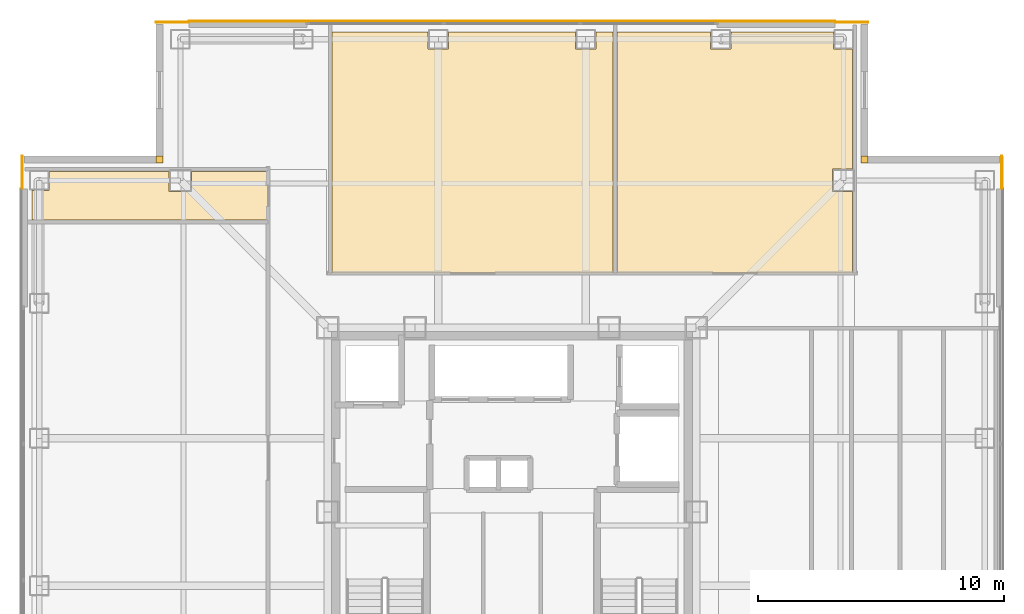
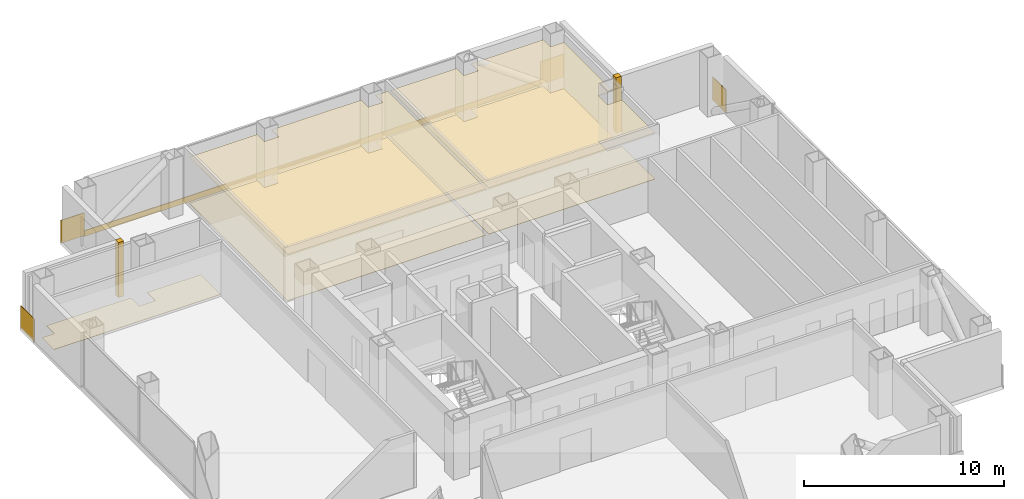
# One storey, part 17 of 17: 12 coverings.
"""IFC4 building model written with IfcOpenShell, lengths in metres."""

from ifc_helpers import new_model, si_unit, direction, frame, frame_2d, origin, place, context, subcontext, project, spatial, polyline, rectangle, outline, extrude, material, layer, layer_set, type_object, element, save


model = new_model("IFC4")

# Units and contexts
model_context = context("Model", 3, precision=1e-05, world=origin(), true_north=direction((0.0, 1.0)))
body_context = subcontext(model_context, "Body", "Model", "MODEL_VIEW")
ifc_project = project(units=[si_unit("LENGTHUNIT", "METRE"), si_unit("AREAUNIT", "SQUARE_METRE"), si_unit("VOLUMEUNIT", "CUBIC_METRE"), si_unit("PLANEANGLEUNIT", "RADIAN"), si_unit("MASSUNIT", "GRAM", prefix="KILO")], contexts=[model_context])

# Site, building, storey
site_placement = place(None, origin())
site = spatial("IfcSite", under=ifc_project, at=site_placement, CompositionType="ELEMENT")
building_placement = place(site_placement, origin())
building = spatial("IfcBuilding", under=site, at=building_placement, Name="Trevonay Congress Spire", CompositionType="ELEMENT")
storey_placement = place(building_placement, frame((0.0, 0.0, 191.39990234375)))
storey = spatial("IfcBuildingStorey", under=building, at=storey_placement, Name="L49", CompositionType="ELEMENT", Elevation=191.39990234375)

# Coverings
ifc_material_1 = material(Name="Acoustic Mineral Fibre Board", Category="gypsum")
ifc_layer_1 = layer(ifc_material_1, 0.02490234375, Name="Acoustic Mineral Fibre Board")
ifc_layer_set_1 = layer_set([ifc_layer_1], Name="Acoustic Mineral Fibre Board")
covering_type_1 = type_object("IfcCoveringType", Name="COV-CEIL-ACOUSTIC", PredefinedType="CEILING", material=ifc_layer_set_1)
covering_1_placement = place(storey_placement, frame((0.0, 0.0, 2.81005859375)))
element("IfcCovering", 1, at=covering_1_placement, inside=storey, type_object=covering_type_1, Name="L49 Champagne Aperitif Bar acoustic suspended ceiling", PredefinedType="CEILING", context=body_context, shape_type="SweptSolid", body=[
    extrude(outline(polyline([(4.1201171875, 19.550048828125), (4.1201171875, 9.72998046875), (-7.320068359375, 9.72998046875), (-7.320068359375, 19.550048828125), (-3.409912109375, 19.550048828125), (-3.409912109375, 18.840087890625), (-2.590087890625, 18.840087890625), (-2.590087890625, 19.550048828125), (2.590087890625, 19.550048828125), (2.590087890625, 18.840087890625), (3.409912109375, 18.840087890625), (3.409912109375, 19.550048828125), (4.1201171875, 19.550048828125)])), origin(), (0.0, 0.0, 1.0), 0.025146484375),
])
covering_2_placement = place(storey_placement, frame((0.0, 0.0, 2.81005859375)))
element("IfcCovering", 2, at=covering_2_placement, inside=storey, type_object=covering_type_1, Name="L49 Private Chef Table Dining acoustic suspended ceiling", PredefinedType="CEILING", context=body_context, shape_type="SweptSolid", body=[
    extrude(outline(polyline([(13.8701171875, 9.72998046875), (4.280029296875, 9.72998046875), (4.280029296875, 19.550048828125), (8.090087890625, 19.550048828125), (8.090087890625, 18.840087890625), (8.909912109375, 18.840087890625), (8.909912109375, 19.550048828125), (13.090087890625, 19.550048828125), (13.090087890625, 18.840087890625), (13.8701171875, 18.840087890625), (13.8701171875, 13.9599609375), (13.0400390625, 13.9599609375), (13.0400390625, 13.0400390625), (13.8701171875, 13.0400390625), (13.8701171875, 9.72998046875)])), origin(), (0.0, 0.0, 1.0), 0.025146484375),
])
ifc_material_2 = material(Name="Polished Granite Floor Tile", Category="masonry")
ifc_layer_2 = layer(ifc_material_2, 0.02001953125, Name="Polished Granite Floor Tile")
ifc_layer_set_2 = layer_set([ifc_layer_2], Name="Polished Granite Floor Tile")
covering_type_2 = type_object("IfcCoveringType", Name="COV-FLOOR-STONE", PredefinedType="FLOORING", material=ifc_layer_set_2)
covering_3_placement = place(storey_placement, origin())
element("IfcCovering", 3, at=covering_3_placement, inside=storey, type_object=covering_type_2, Name="L49 Accessible WC floor finish", PredefinedType="FLOORING", context=body_context, shape_type="SweptSolid", body=[
    extrude(outline(polyline([(-9.929931640625, 13.8701171875), (-9.929931640625, 11.8798828125), (-19.550048828125, 11.8798828125), (-19.550048828125, 13.090087890625), (-18.840087890625, 13.090087890625), (-18.840087890625, 13.8701171875), (-13.9599609375, 13.8701171875), (-13.9599609375, 13.0400390625), (-13.0400390625, 13.0400390625), (-13.0400390625, 13.8701171875), (-9.929931640625, 13.8701171875)])), origin(), (0.0, 0.0, 1.0), 0.02001953125),
])
covering_4_placement = place(storey_placement, origin())
element("IfcCovering", 4, at=covering_4_placement, inside=storey, type_object=covering_type_2, Name="L49 Champagne Aperitif Bar floor finish", PredefinedType="FLOORING", context=body_context, shape_type="SweptSolid", body=[
    extrude(outline(polyline([(4.1201171875, 19.550048828125), (4.1201171875, 9.72998046875), (-7.320068359375, 9.72998046875), (-7.320068359375, 19.550048828125), (-3.409912109375, 19.550048828125), (-3.409912109375, 18.840087890625), (-2.590087890625, 18.840087890625), (-2.590087890625, 19.550048828125), (2.590087890625, 19.550048828125), (2.590087890625, 18.840087890625), (3.409912109375, 18.840087890625), (3.409912109375, 19.550048828125), (4.1201171875, 19.550048828125)])), origin(), (0.0, 0.0, 1.0), 0.02001953125),
])
covering_5_placement = place(storey_placement, origin())
element("IfcCovering", 5, at=covering_5_placement, inside=storey, type_object=covering_type_2, Name="L49 Private Chef Table Dining floor finish", PredefinedType="FLOORING", context=body_context, shape_type="SweptSolid", body=[
    extrude(outline(polyline([(13.8701171875, 9.72998046875), (4.280029296875, 9.72998046875), (4.280029296875, 19.550048828125), (8.090087890625, 19.550048828125), (8.090087890625, 18.840087890625), (8.909912109375, 18.840087890625), (8.909912109375, 19.550048828125), (13.090087890625, 19.550048828125), (13.090087890625, 18.840087890625), (13.8701171875, 18.840087890625), (13.8701171875, 13.9599609375), (13.0400390625, 13.9599609375), (13.0400390625, 13.0400390625), (13.8701171875, 13.0400390625), (13.8701171875, 9.72998046875)])), origin(), (0.0, 0.0, 1.0), 0.02001953125),
])
ifc_material_3 = material(Name="Pale Anodised Aluminium EN AW-6063-T6", Category="aluminium")
ifc_layer_3 = layer(ifc_material_3, 0.0400390625, Name="Pale Anodised Aluminium EN AW-6063-T6")
ifc_layer_set_3 = layer_set([ifc_layer_3], Name="Pale Anodised Aluminium EN AW-6063-T6")
covering_type_3 = type_object("IfcCoveringType", Name="COV-SPANDREL-PALE-METAL", PredefinedType="CLADDING", material=ifc_layer_set_3)
covering_6_placement = place(storey_placement, frame((-13.14990234375, 19.97998046875, -0.239990234375), z_axis=(0.0, 0.0, 1.0), x_axis=(1.0, 0.0, 0.0)))
element("IfcCovering", 6, at=covering_6_placement, inside=storey, type_object=covering_type_3, Name="L49 N pale-metal slab-edge spandrel cladding", PredefinedType="CLADDING", context=body_context, shape_type="SweptSolid", body=[
    extrude(rectangle(XDim=26.2998046875, YDim=0.0400390625, at=frame_2d((13.14990234375, 0.0))), origin(), (0.0, 0.0, 1.0), 0.360107421875),
])
covering_7_placement = place(storey_placement, origin())
element("IfcCovering", 7, at=covering_7_placement, inside=storey, type_object=covering_type_3, Name="L49 NE re-entrant notch corner closure trim", PredefinedType="CLADDING", context=body_context, shape_type="SweptSolid", body=[
    extrude(outline(polyline([(14.199951171875, 14.199951171875), (14.5, 14.199951171875), (14.5, 14.5), (14.199951171875, 14.5), (14.199951171875, 14.199951171875)])), origin(), (0.0, 0.0, 1.0), 3.360107421875),
])
for number, where, z_axis, x_axis, name in (
    (8, (19.93994140625, 13.14990234375, -0.14990234375), (0.0, 0.0, 1.0), (0.0, 1.0, 0.0), "L49 NE corner pier spandrel cladding 1"),
    (9, (13.14990234375, 19.93994140625, -0.14990234375), (0.0, 0.0, 1.0), (1.0, 0.0, 0.0), "L49 NE corner pier spandrel cladding 2"),
):
    element("IfcCovering", number, at=place(storey_placement, frame(where, z_axis=z_axis, x_axis=x_axis)), inside=storey, type_object=covering_type_3, Name=name, PredefinedType="CLADDING", context=body_context, shape_type="SweptSolid", body=[
        extrude(rectangle(XDim=1.35009765625, YDim=0.0400390625, at=frame_2d((0.675048828125, 0.0))), origin(), (0.0, 0.0, 1.0), 1.39990234375),
    ])
covering_8_placement = place(storey_placement, origin())
element("IfcCovering", 10, at=covering_8_placement, inside=storey, type_object=covering_type_3, Name="L49 NW re-entrant notch corner closure trim", PredefinedType="CLADDING", context=body_context, shape_type="SweptSolid", body=[
    extrude(outline(polyline([(-14.5, 14.199951171875), (-14.199951171875, 14.199951171875), (-14.199951171875, 14.5), (-14.5, 14.5), (-14.5, 14.199951171875)])), origin(), (0.0, 0.0, 1.0), 3.360107421875),
])
for number, where, z_axis, x_axis, name in (
    (11, (-19.93994140625, 13.14990234375, -0.14990234375), (0.0, 0.0, 1.0), (0.0, 1.0, 0.0), "L49 NW corner pier spandrel cladding 1"),
    (12, (-13.14990234375, 19.93994140625, -0.14990234375), (0.0, 0.0, 1.0), (-1.0, 0.0, 0.0), "L49 NW corner pier spandrel cladding 2"),
):
    element("IfcCovering", number, at=place(storey_placement, frame(where, z_axis=z_axis, x_axis=x_axis)), inside=storey, type_object=covering_type_3, Name=name, PredefinedType="CLADDING", context=body_context, shape_type="SweptSolid", body=[
        extrude(rectangle(XDim=1.35009765625, YDim=0.0400390625, at=frame_2d((0.675048828125, 0.0))), origin(), (0.0, 0.0, 1.0), 1.39990234375),
    ])

save(model, "model.ifc")
